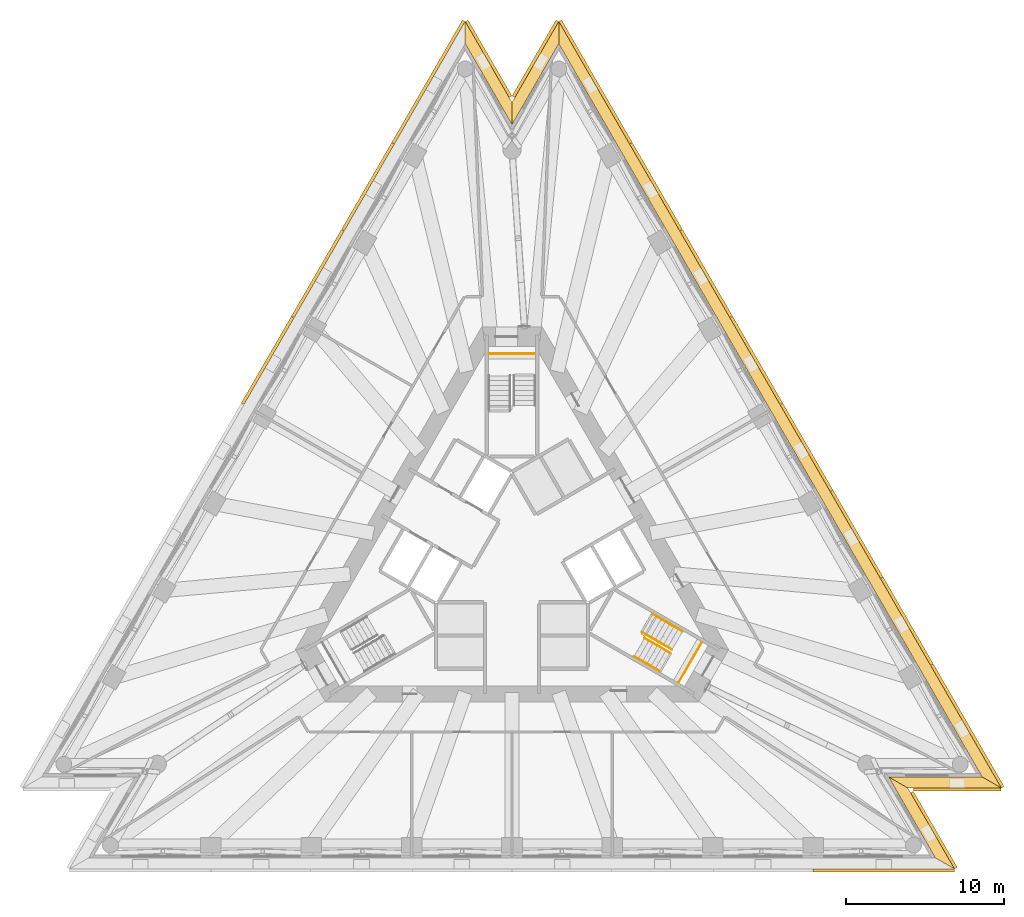
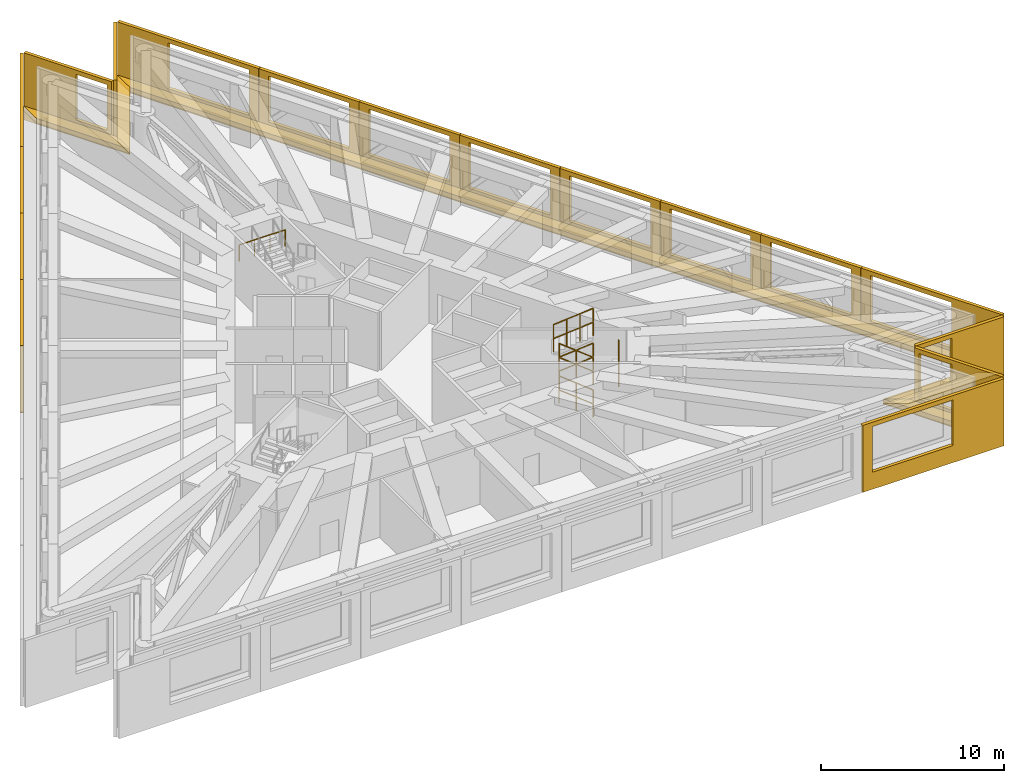
# One storey, part 12 of 12: 22 shading devices, 10 railings, 5 coverings, 2 elements without a shape of their own.
"""IFC4 building model written with IfcOpenShell, lengths in metres."""

from ifc_helpers import new_model, si_unit, direction, frame, origin, origin_2d, place, context, subcontext, project, spatial, polyline, circle, outline, extrude, material, layer, layer_set, layer_usage, type_object, element, aggregate, save


model = new_model("IFC4")

# Units and contexts
model_context = context("Model", 3, precision=1e-05, world=origin(), true_north=direction((0.0, 1.0)))
body_context = subcontext(model_context, "Body", "Model", "MODEL_VIEW")
ifc_project = project(units=[si_unit("LENGTHUNIT", "METRE"), si_unit("AREAUNIT", "SQUARE_METRE"), si_unit("VOLUMEUNIT", "CUBIC_METRE"), si_unit("PLANEANGLEUNIT", "RADIAN"), si_unit("MASSUNIT", "GRAM", prefix="KILO")], contexts=[model_context])

# Site, building, storey
site_placement = place(None, origin())
site = spatial("IfcSite", under=ifc_project, at=site_placement, CompositionType="ELEMENT")
building_placement = place(site_placement, origin())
building = spatial("IfcBuilding", under=site, at=building_placement, Name="Triada Interchange Tower", CompositionType="ELEMENT")
storey_placement = place(building_placement, frame((0.0, 0.0, 180.800048828125)))
storey = spatial("IfcBuildingStorey", under=building, at=storey_placement, Name="L42", CompositionType="ELEMENT", Elevation=180.800048828125)

# Coverings
ifc_material_1 = material(Name="Mineral fire-stop board")
ifc_layer_1 = layer(ifc_material_1, 0.0400390625, Name="Mineral fire-stop board")
ifc_material_2 = material(Name="Intumescent sealant")
ifc_layer_2 = layer(ifc_material_2, 0.010009765625, Name="Intumescent seal")
ifc_layer_set_1 = layer_set([ifc_layer_1, ifc_layer_2], Name="Cavity fire stop")
ifc_layer_usage = layer_usage(ifc_layer_set_1, "AXIS3", "POSITIVE", 0.0)
covering_type = type_object("IfcCoveringType", Name="Cavity fire stop", PredefinedType="INSULATION", material=ifc_layer_set_1)
covering_1_placement = place(storey_placement, origin())
element("IfcCovering", 1, at=covering_1_placement, inside=storey, type_object=covering_type, material=ifc_layer_usage, Name="Cavity fire stop L42 SE-1", PredefinedType="INSULATION", context=body_context, shape_type="SweptSolid", body=[
    extrude(outline(polyline([(26.742919921875, -18.85107421875), (27.955078125, -19.551025390625), (25.0009765625, -14.43408203125), (23.7890625, -13.73388671875), (26.742919921875, -18.85107421875)])), origin(), (0.0, 0.0, 1.0), 0.050048828125),
])
covering_2_placement = place(storey_placement, origin())
element("IfcCovering", 2, at=covering_2_placement, inside=storey, type_object=covering_type, material=ifc_layer_usage, Name="Cavity fire stop L42 SE-2", PredefinedType="INSULATION", context=body_context, shape_type="SweptSolid", body=[
    extrude(outline(polyline([(23.7890625, -13.73388671875), (25.0009765625, -14.43408203125), (30.908935546875, -14.43408203125), (29.697021484375, -13.73388671875), (23.7890625, -13.73388671875)])), origin(), (0.0, 0.0, 1.0), 0.050048828125),
])
covering_3_placement = place(storey_placement, origin())
element("IfcCovering", 3, at=covering_3_placement, inside=storey, type_object=covering_type, material=ifc_layer_usage, Name="Cavity fire stop L42 NE", PredefinedType="INSULATION", context=body_context, shape_type="SweptSolid", body=[
    extrude(outline(polyline([(29.697021484375, -13.73388671875), (30.908935546875, -14.43408203125), (2.9541015625, 33.985107421875), (2.9541015625, 32.5849609375), (29.697021484375, -13.73388671875)])), origin(), (0.0, 0.0, 1.0), 0.050048828125),
])
covering_4_placement = place(storey_placement, origin())
element("IfcCovering", 4, at=covering_4_placement, inside=storey, type_object=covering_type, material=ifc_layer_usage, Name="Cavity fire stop L42 N-1", PredefinedType="INSULATION", context=body_context, shape_type="SweptSolid", body=[
    extrude(outline(polyline([(2.9541015625, 32.5849609375), (2.9541015625, 33.985107421875), (0.0, 28.867919921875), (0.0, 27.468017578125), (2.9541015625, 32.5849609375)])), origin(), (0.0, 0.0, 1.0), 0.050048828125),
])
covering_5_placement = place(storey_placement, origin())
element("IfcCovering", 5, at=covering_5_placement, inside=storey, type_object=covering_type, material=ifc_layer_usage, Name="Cavity fire stop L42 N-2", PredefinedType="INSULATION", context=body_context, shape_type="SweptSolid", body=[
    extrude(outline(polyline([(0.0, 27.468017578125), (0.0, 28.867919921875), (-2.9541015625, 33.985107421875), (-2.9541015625, 32.5849609375), (0.0, 27.468017578125)])), origin(), (0.0, 0.0, 1.0), 0.050048828125),
])

# Shading devices
ifc_material_3 = material(Name="Aluminium louvre", Category="aluminium")
shading_device_type_1 = type_object("IfcShadingDeviceType", Name="Cavity louvre grille", PredefinedType="JALOUSIE", material=ifc_material_3)
shading_device_1_placement = place(storey_placement, frame((0.0, 0.0, 0.050048828125)))
element("IfcShadingDevice", 6, at=shading_device_1_placement, inside=storey, type_object=shading_device_type_1, Name="Cavity louvre grille L42 SE-1", PredefinedType="JALOUSIE", context=body_context, shape_type="SweptSolid", body=[
    extrude(outline(polyline([(26.742919921875, -18.85107421875), (27.955078125, -19.551025390625), (25.0009765625, -14.43408203125), (23.7890625, -13.73388671875), (26.742919921875, -18.85107421875)])), origin(), (0.0, 0.0, 1.0), 0.2998046875),
])
shading_device_2_placement = place(storey_placement, frame((0.0, 0.0, 0.050048828125)))
element("IfcShadingDevice", 7, at=shading_device_2_placement, inside=storey, type_object=shading_device_type_1, Name="Cavity louvre grille L42 SE-2", PredefinedType="JALOUSIE", context=body_context, shape_type="SweptSolid", body=[
    extrude(outline(polyline([(23.7890625, -13.73388671875), (25.0009765625, -14.43408203125), (30.908935546875, -14.43408203125), (29.697021484375, -13.73388671875), (23.7890625, -13.73388671875)])), origin(), (0.0, 0.0, 1.0), 0.2998046875),
])
shading_device_3_placement = place(storey_placement, frame((0.0, 0.0, 0.050048828125)))
element("IfcShadingDevice", 8, at=shading_device_3_placement, inside=storey, type_object=shading_device_type_1, Name="Cavity louvre grille L42 NE", PredefinedType="JALOUSIE", context=body_context, shape_type="SweptSolid", body=[
    extrude(outline(polyline([(29.697021484375, -13.73388671875), (30.908935546875, -14.43408203125), (2.9541015625, 33.985107421875), (2.9541015625, 32.5849609375), (29.697021484375, -13.73388671875)])), origin(), (0.0, 0.0, 1.0), 0.2998046875),
])
shading_device_4_placement = place(storey_placement, frame((0.0, 0.0, 0.050048828125)))
element("IfcShadingDevice", 9, at=shading_device_4_placement, inside=storey, type_object=shading_device_type_1, Name="Cavity louvre grille L42 N-1", PredefinedType="JALOUSIE", context=body_context, shape_type="SweptSolid", body=[
    extrude(outline(polyline([(2.9541015625, 32.5849609375), (2.9541015625, 33.985107421875), (0.0, 28.867919921875), (0.0, 27.468017578125), (2.9541015625, 32.5849609375)])), origin(), (0.0, 0.0, 1.0), 0.2998046875),
])
shading_device_5_placement = place(storey_placement, frame((0.0, 0.0, 0.050048828125)))
element("IfcShadingDevice", 10, at=shading_device_5_placement, inside=storey, type_object=shading_device_type_1, Name="Cavity louvre grille L42 N-2", PredefinedType="JALOUSIE", context=body_context, shape_type="SweptSolid", body=[
    extrude(outline(polyline([(0.0, 27.468017578125), (0.0, 28.867919921875), (-2.9541015625, 33.985107421875), (-2.9541015625, 32.5849609375), (0.0, 27.468017578125)])), origin(), (0.0, 0.0, 1.0), 0.2998046875),
])
ifc_material_4 = material(Name="Concrete C50/60 precast", Category="concrete")
ifc_layer_3 = layer(ifc_material_4, 0.02001953125, Name="Exposed aggregate face")
ifc_layer_4 = layer(ifc_material_4, 0.179931640625, Name="Precast concrete screen")
ifc_layer_set_2 = layer_set([ifc_layer_3, ifc_layer_4], Name="Outer skin screen panel 4480")
shading_device_type_2 = type_object("IfcShadingDeviceType", Name="Outer skin screen panel 4480", PredefinedType="SHUTTER", material=ifc_layer_set_2)
shading_device_6_placement = place(storey_placement, frame((-2.958984375, 33.97607421875, -0.590087890625), z_axis=(0.0, 0.0, 1.0), x_axis=(-0.500049506908, -0.865996819071, 0.0)))
element("IfcShadingDevice", 11, at=shading_device_6_placement, inside=storey, type_object=shading_device_type_2, Name="Outer skin screen panel L42 01", PredefinedType="SHUTTER", context=body_context, shape_type="SweptSolid", body=[
    extrude(outline(polyline([(0.0, 0.0), (8.9169921875, 0.0), (8.9169921875, 4.47998046875), (0.0, 4.47998046875), (0.0, 0.0)]), holes=[polyline([(3.20751953125, 1.139892578125), (3.20751953125, 4.18994140625), (8.3076171875, 4.18994140625), (8.3076171875, 1.139892578125), (3.20751953125, 1.139892578125)])]), frame((0.0, 0.0, 0.0), z_axis=(0.0, -1.0, 0.0), x_axis=(1.0, 0.0, 0.0)), (0.0, 0.0, 1.0), 0.199951171875),
])
shading_device_7_placement = place(storey_placement, frame((-7.427978515625, 26.236083984375, -0.590087890625), z_axis=(0.0, 0.0, 1.0), x_axis=(-0.499949895976, -0.866054329424, 0.0)))
element("IfcShadingDevice", 12, at=shading_device_7_placement, inside=storey, type_object=shading_device_type_2, Name="Outer skin screen panel L42 02", PredefinedType="SHUTTER", context=body_context, shape_type="SweptSolid", body=[
    extrude(outline(polyline([(0.0, 0.0), (6.318603515625, 0.0), (6.318603515625, 4.47998046875), (0.0, 4.47998046875), (0.0, 0.0)]), holes=[polyline([(0.609375, 1.139892578125), (0.609375, 4.18994140625), (5.709228515625, 4.18994140625), (5.709228515625, 1.139892578125), (0.609375, 1.139892578125)])]), frame((0.0, 0.0, 0.0), z_axis=(0.0, -1.0, 0.0), x_axis=(1.0, 0.0, 0.0)), (0.0, 0.0, 1.0), 0.199951171875),
])
shading_device_8_placement = place(storey_placement, frame((-10.596923828125, 20.7470703125, -0.590087890625), z_axis=(0.0, 0.0, 1.0), x_axis=(-0.500027861653, -0.866009317254, 0.0)))
element("IfcShadingDevice", 13, at=shading_device_8_placement, inside=storey, type_object=shading_device_type_2, Name="Outer skin screen panel L42 03", PredefinedType="SHUTTER", context=body_context, shape_type="SweptSolid", body=[
    extrude(outline(polyline([(0.0, 0.0), (6.320068359375, 0.0), (6.320068359375, 4.47998046875), (0.0, 4.47998046875), (0.0, 0.0)]), holes=[polyline([(0.609130859375, 1.139892578125), (0.609130859375, 4.18994140625), (5.709228515625, 4.18994140625), (5.709228515625, 1.139892578125), (0.609130859375, 1.139892578125)])]), frame((0.0, 0.0, 0.0), z_axis=(0.0, -1.0, 0.0), x_axis=(1.0, 0.0, 0.0)), (0.0, 0.0, 1.0), 0.199951171875),
])
shading_device_9_placement = place(storey_placement, frame((-13.76708984375, 15.257080078125, -0.590087890625), z_axis=(0.0, 0.0, 1.0), x_axis=(-0.499998889324, -0.866026045033, 0.0)))
element("IfcShadingDevice", 14, at=shading_device_9_placement, inside=storey, type_object=shading_device_type_2, Name="Outer skin screen panel L42 04", PredefinedType="SHUTTER", context=body_context, shape_type="SweptSolid", body=[
    extrude(outline(polyline([(0.0, 0.0), (6.31982421875, 0.0), (6.31982421875, 4.47998046875), (0.0, 4.47998046875), (0.0, 0.0)]), holes=[polyline([(0.610107421875, 1.139892578125), (0.610107421875, 4.18994140625), (5.7099609375, 4.18994140625), (5.7099609375, 1.139892578125), (0.610107421875, 1.139892578125)])]), frame((0.0, 0.0, 0.0), z_axis=(0.0, -1.0, 0.0), x_axis=(1.0, 0.0, 0.0)), (0.0, 0.0, 1.0), 0.199951171875),
])
shading_device_10_placement = place(storey_placement, frame((19.028076171875, -19.551025390625, -0.590087890625), z_axis=(0.0, 0.0, 1.0), x_axis=(1.0, 0.0, 0.0)))
element("IfcShadingDevice", 15, at=shading_device_10_placement, inside=storey, type_object=shading_device_type_2, Name="Outer skin screen panel L42 18", PredefinedType="SHUTTER", context=body_context, shape_type="SweptSolid", body=[
    extrude(outline(polyline([(0.0, 0.0), (8.9169921875, 0.0), (8.9169921875, 4.47998046875), (0.0, 4.47998046875), (0.0, 0.0)]), holes=[polyline([(0.609130859375, 1.139892578125), (0.609130859375, 4.18994140625), (5.709228515625, 4.18994140625), (5.709228515625, 1.139892578125), (0.609130859375, 1.139892578125)])]), frame((0.0, 0.0, 0.0), z_axis=(0.0, -1.0, 0.0), x_axis=(1.0, 0.0, 0.0)), (0.0, 0.0, 1.0), 0.199951171875),
])
shading_device_11_placement = place(storey_placement, frame((27.949951171875, -19.5419921875, -0.590087890625), z_axis=(0.0, 0.0, 1.0), x_axis=(-0.500033892615, 0.86600583499, 0.0)))
element("IfcShadingDevice", 16, at=shading_device_11_placement, inside=storey, type_object=shading_device_type_2, Name="Outer skin screen panel L42 19", PredefinedType="SHUTTER", context=body_context, shape_type="SweptSolid", body=[
    extrude(outline(polyline([(0.0, 0.0), (5.54150390625, 0.0), (5.54150390625, 4.47998046875), (0.0, 4.47998046875), (0.0, 0.0)]), holes=[polyline([(3.17529296875, 1.139892578125), (3.17529296875, 4.18994140625), (5.24169921875, 4.18994140625), (5.24169921875, 1.139892578125), (3.17529296875, 1.139892578125)])]), frame((0.0, 0.0, 0.0), z_axis=(0.0, -1.0, 0.0), x_axis=(1.0, 0.0, 0.0)), (0.0, 0.0, 1.0), 0.199951171875),
])
shading_device_12_placement = place(storey_placement, frame((25.35791015625, -14.43408203125, -0.590087890625), z_axis=(0.0, 0.0, 1.0), x_axis=(1.0, 0.0, 0.0)))
element("IfcShadingDevice", 17, at=shading_device_12_placement, inside=storey, type_object=shading_device_type_2, Name="Outer skin screen panel L42 20", PredefinedType="SHUTTER", context=body_context, shape_type="SweptSolid", body=[
    extrude(outline(polyline([(0.0, 0.0), (5.541015625, 0.0), (5.541015625, 4.47998046875), (0.0, 4.47998046875), (0.0, 0.0)]), holes=[polyline([(0.300048828125, 1.139892578125), (0.300048828125, 4.18994140625), (2.258056640625, 4.18994140625), (2.258056640625, 1.139892578125), (0.300048828125, 1.139892578125)])]), frame((0.0, 0.0, 0.0), z_axis=(0.0, -1.0, 0.0), x_axis=(1.0, 0.0, 0.0)), (0.0, 0.0, 1.0), 0.199951171875),
])
shading_device_13_placement = place(storey_placement, frame((30.904052734375, -14.425048828125, -0.590087890625), z_axis=(0.0, 0.0, 1.0), x_axis=(-0.499967368674, 0.86604424267, 0.0)))
element("IfcShadingDevice", 18, at=shading_device_13_placement, inside=storey, type_object=shading_device_type_2, Name="Outer skin screen panel L42 21", PredefinedType="SHUTTER", context=body_context, shape_type="SweptSolid", body=[
    extrude(outline(polyline([(0.0, 0.0), (8.91650390625, 0.0), (8.91650390625, 4.47998046875), (0.0, 4.47998046875), (0.0, 0.0)]), holes=[polyline([(3.207275390625, 1.139892578125), (3.207275390625, 4.18994140625), (8.307373046875, 4.18994140625), (8.307373046875, 1.139892578125), (3.207275390625, 1.139892578125)])]), frame((0.0, 0.0, 0.0), z_axis=(0.0, -1.0, 0.0), x_axis=(1.0, 0.0, 0.0)), (0.0, 0.0, 1.0), 0.199951171875),
])
shading_device_14_placement = place(storey_placement, frame((26.43505859375, -6.68505859375, -0.590087890625), z_axis=(0.0, 0.0, 1.0), x_axis=(-0.499978876315, 0.866037599206, 0.0)))
element("IfcShadingDevice", 19, at=shading_device_14_placement, inside=storey, type_object=shading_device_type_2, Name="Outer skin screen panel L42 22", PredefinedType="SHUTTER", context=body_context, shape_type="SweptSolid", body=[
    extrude(outline(polyline([(0.0, 0.0), (6.318603515625, 0.0), (6.318603515625, 4.47998046875), (0.0, 4.47998046875), (0.0, 0.0)]), holes=[polyline([(0.60888671875, 1.139892578125), (0.60888671875, 4.18994140625), (5.708984375, 4.18994140625), (5.708984375, 1.139892578125), (0.60888671875, 1.139892578125)])]), frame((0.0, 0.0, 0.0), z_axis=(0.0, -1.0, 0.0), x_axis=(1.0, 0.0, 0.0)), (0.0, 0.0, 1.0), 0.199951171875),
])
shading_device_15_placement = place(storey_placement, frame((23.26611328125, -1.196044921875, -0.590087890625), z_axis=(0.0, 0.0, 1.0), x_axis=(-0.500027861653, 0.866009317254, 0.0)))
element("IfcShadingDevice", 20, at=shading_device_15_placement, inside=storey, type_object=shading_device_type_2, Name="Outer skin screen panel L42 23", PredefinedType="SHUTTER", context=body_context, shape_type="SweptSolid", body=[
    extrude(outline(polyline([(0.0, 0.0), (6.320068359375, 0.0), (6.320068359375, 4.47998046875), (0.0, 4.47998046875), (0.0, 0.0)]), holes=[polyline([(0.60986328125, 1.139892578125), (0.60986328125, 4.18994140625), (5.7099609375, 4.18994140625), (5.7099609375, 1.139892578125), (0.60986328125, 1.139892578125)])]), frame((0.0, 0.0, 0.0), z_axis=(0.0, -1.0, 0.0), x_axis=(1.0, 0.0, 0.0)), (0.0, 0.0, 1.0), 0.199951171875),
])
shading_device_16_placement = place(storey_placement, frame((20.095947265625, 4.2939453125, -0.590087890625), z_axis=(0.0, 0.0, 1.0), x_axis=(-0.499882983218, 0.866092952915, 0.0)))
element("IfcShadingDevice", 21, at=shading_device_16_placement, inside=storey, type_object=shading_device_type_2, Name="Outer skin screen panel L42 24", PredefinedType="SHUTTER", context=body_context, shape_type="SweptSolid", body=[
    extrude(outline(polyline([(0.0, 0.0), (6.3193359375, 0.0), (6.3193359375, 4.47998046875), (0.0, 4.47998046875), (0.0, 0.0)]), holes=[polyline([(0.609619140625, 1.139892578125), (0.609619140625, 4.18994140625), (5.709716796875, 4.18994140625), (5.709716796875, 1.139892578125), (0.609619140625, 1.139892578125)])]), frame((0.0, 0.0, 0.0), z_axis=(0.0, -1.0, 0.0), x_axis=(1.0, 0.0, 0.0)), (0.0, 0.0, 1.0), 0.199951171875),
])
shading_device_17_placement = place(storey_placement, frame((16.927001953125, 9.783935546875, -0.590087890625), z_axis=(0.0, 0.0, 1.0), x_axis=(-0.499998889324, 0.866026045033, 0.0)))
element("IfcShadingDevice", 22, at=shading_device_17_placement, inside=storey, type_object=shading_device_type_2, Name="Outer skin screen panel L42 25", PredefinedType="SHUTTER", context=body_context, shape_type="SweptSolid", body=[
    extrude(outline(polyline([(0.0, 0.0), (6.31982421875, 0.0), (6.31982421875, 4.47998046875), (0.0, 4.47998046875), (0.0, 0.0)]), holes=[polyline([(0.609619140625, 1.139892578125), (0.609619140625, 4.18994140625), (5.70947265625, 4.18994140625), (5.70947265625, 1.139892578125), (0.609619140625, 1.139892578125)])]), frame((0.0, 0.0, 0.0), z_axis=(0.0, -1.0, 0.0), x_axis=(1.0, 0.0, 0.0)), (0.0, 0.0, 1.0), 0.199951171875),
])
shading_device_18_placement = place(storey_placement, frame((13.757080078125, 15.27392578125, -0.590087890625), z_axis=(0.0, 0.0, 1.0), x_axis=(-0.500027861653, 0.866009317254, 0.0)))
element("IfcShadingDevice", 23, at=shading_device_18_placement, inside=storey, type_object=shading_device_type_2, Name="Outer skin screen panel L42 26", PredefinedType="SHUTTER", context=body_context, shape_type="SweptSolid", body=[
    extrude(outline(polyline([(0.0, 0.0), (6.320068359375, 0.0), (6.320068359375, 4.47998046875), (0.0, 4.47998046875), (0.0, 0.0)]), holes=[polyline([(0.609375, 1.139892578125), (0.609375, 4.18994140625), (5.709228515625, 4.18994140625), (5.709228515625, 1.139892578125), (0.609375, 1.139892578125)])]), frame((0.0, 0.0, 0.0), z_axis=(0.0, -1.0, 0.0), x_axis=(1.0, 0.0, 0.0)), (0.0, 0.0, 1.0), 0.199951171875),
])
shading_device_19_placement = place(storey_placement, frame((10.5869140625, 20.763916015625, -0.590087890625), z_axis=(0.0, 0.0, 1.0), x_axis=(-0.499949895976, 0.866054329424, 0.0)))
element("IfcShadingDevice", 24, at=shading_device_19_placement, inside=storey, type_object=shading_device_type_2, Name="Outer skin screen panel L42 27", PredefinedType="SHUTTER", context=body_context, shape_type="SweptSolid", body=[
    extrude(outline(polyline([(0.0, 0.0), (6.318603515625, 0.0), (6.318603515625, 4.47998046875), (0.0, 4.47998046875), (0.0, 0.0)]), holes=[polyline([(0.609130859375, 1.139892578125), (0.609130859375, 4.18994140625), (5.708984375, 4.18994140625), (5.708984375, 1.139892578125), (0.609130859375, 1.139892578125)])]), frame((0.0, 0.0, 0.0), z_axis=(0.0, -1.0, 0.0), x_axis=(1.0, 0.0, 0.0)), (0.0, 0.0, 1.0), 0.199951171875),
])
shading_device_20_placement = place(storey_placement, frame((7.41796875, 26.25390625, -0.590087890625), z_axis=(0.0, 0.0, 1.0), x_axis=(-0.500049506908, 0.865996819071, 0.0)))
element("IfcShadingDevice", 25, at=shading_device_20_placement, inside=storey, type_object=shading_device_type_2, Name="Outer skin screen panel L42 28", PredefinedType="SHUTTER", context=body_context, shape_type="SweptSolid", body=[
    extrude(outline(polyline([(0.0, 0.0), (8.9169921875, 0.0), (8.9169921875, 4.47998046875), (0.0, 4.47998046875), (0.0, 0.0)]), holes=[polyline([(0.60986328125, 1.139892578125), (0.60986328125, 4.18994140625), (5.7099609375, 4.18994140625), (5.7099609375, 1.139892578125), (0.60986328125, 1.139892578125)])]), frame((0.0, 0.0, 0.0), z_axis=(0.0, -1.0, 0.0), x_axis=(1.0, 0.0, 0.0)), (0.0, 0.0, 1.0), 0.199951171875),
])
shading_device_21_placement = place(storey_placement, frame((2.948974609375, 33.97607421875, -0.590087890625), z_axis=(0.0, 0.0, 1.0), x_axis=(-0.500033892615, -0.86600583499, 0.0)))
element("IfcShadingDevice", 26, at=shading_device_21_placement, inside=storey, type_object=shading_device_type_2, Name="Outer skin screen panel L42 29", PredefinedType="SHUTTER", context=body_context, shape_type="SweptSolid", body=[
    extrude(outline(polyline([(0.0, 0.0), (5.54150390625, 0.0), (5.54150390625, 4.47998046875), (0.0, 4.47998046875), (0.0, 0.0)]), holes=[polyline([(3.175537109375, 1.139892578125), (3.175537109375, 4.18994140625), (5.241943359375, 4.18994140625), (5.241943359375, 1.139892578125), (3.175537109375, 1.139892578125)])]), frame((0.0, 0.0, 0.0), z_axis=(0.0, -1.0, 0.0), x_axis=(1.0, 0.0, 0.0)), (0.0, 0.0, 1.0), 0.199951171875),
])
shading_device_22_placement = place(storey_placement, frame((-0.177978515625, 29.177001953125, -0.590087890625), z_axis=(0.0, 0.0, 1.0), x_axis=(-0.500033892615, 0.86600583499, 0.0)))
element("IfcShadingDevice", 27, at=shading_device_22_placement, inside=storey, type_object=shading_device_type_2, Name="Outer skin screen panel L42 30", PredefinedType="SHUTTER", context=body_context, shape_type="SweptSolid", body=[
    extrude(outline(polyline([(0.0, 0.0), (5.54150390625, 0.0), (5.54150390625, 4.47998046875), (0.0, 4.47998046875), (0.0, 0.0)]), holes=[polyline([(0.300048828125, 1.139892578125), (0.300048828125, 4.18994140625), (2.2578125, 4.18994140625), (2.2578125, 1.139892578125), (0.300048828125, 1.139892578125)])]), frame((0.0, 0.0, 0.0), z_axis=(0.0, -1.0, 0.0), x_axis=(1.0, 0.0, 0.0)), (0.0, 0.0, 1.0), 0.199951171875),
])

# Stair, railing
ifc_material_5 = material(Name="Concrete C35/45", Category="concrete")
stair_type = type_object("IfcStairType", Name="HALF TURN STAIR 1400", PredefinedType="HALF_TURN_STAIR", material=ifc_material_5)
stair_1_placement = place(storey_placement, origin())
stair_1 = element("IfcStair", 28, at=stair_1_placement, inside=storey, type_object=stair_type, Name="Exit stair S42-1", PredefinedType="HALF_TURN_STAIR")
ifc_material_6 = material(Name="Stainless steel 1.4301", Category="steel")
railing_type_1 = type_object("IfcRailingType", Name="STAIR GUARD 1100", PredefinedType="GUARDRAIL", material=ifc_material_6)
railing_1_placement = place(storey_placement, frame((1.449951171875, 13.0, 2.17236328125)))
railing_1 = element("IfcRailing", 29, at=railing_1_placement, type_object=railing_type_1, Name="Guard S42-1 1", PredefinedType="GUARDRAIL", context=body_context, shape_type="SweptSolid", body=[
    extrude(circle(Radius=0.02392578125, at=origin_2d()), frame((0.0, 0.0, 1.076171875), z_axis=(-1.0, 0.0, 0.0), x_axis=(0.0, -1.0, 0.0)), (0.0, 0.0, 1.0), 2.89990234375),
    extrude(circle(Radius=0.02099609375, at=origin_2d()), origin(), (0.0, 0.0, 1.0), 1.052001953125),
    extrude(circle(Radius=0.02099609375, at=origin_2d()), frame((-0.966552734375, 0.0, 0.0)), (0.0, 0.0, 1.0), 1.052001953125),
    extrude(circle(Radius=0.02099609375, at=origin_2d()), frame((-1.933349609375, 0.0, 0.0)), (0.0, 0.0, 1.0), 1.052001953125),
    extrude(circle(Radius=0.02099609375, at=origin_2d()), frame((-2.89990234375, 0.0, 0.0)), (0.0, 0.0, 1.0), 1.052001953125),
])
aggregate(stair_1, [railing_1])

# Stair, railings
stair_2_placement = place(storey_placement, origin())
stair_2 = element("IfcStair", 30, at=stair_2_placement, inside=storey, type_object=stair_type, Name="Exit stair S42-3", PredefinedType="HALF_TURN_STAIR")
railing_2_placement = place(storey_placement, frame((10.532958984375, -7.756103515625, 2.17236328125)))
railing_2 = element("IfcRailing", 31, at=railing_2_placement, type_object=railing_type_1, Name="Guard S42-3 1", PredefinedType="GUARDRAIL", context=body_context, shape_type="SweptSolid", body=[
    extrude(circle(Radius=0.02392578125, at=origin_2d()), frame((0.0, 0.0, 1.076171875), z_axis=(0.499877891294, 0.866095891802, 0.0), x_axis=(-0.866095891802, 0.499877891294, 0.0)), (0.0, 0.0, 1.0), 2.900634765625),
    extrude(circle(Radius=0.02099609375, at=origin_2d()), origin(), (0.0, 0.0, 1.0), 1.052001953125),
    extrude(circle(Radius=0.02099609375, at=origin_2d()), frame((0.4833984375, 0.83740234375, 0.0)), (0.0, 0.0, 1.0), 1.052001953125),
    extrude(circle(Radius=0.02099609375, at=origin_2d()), frame((0.966552734375, 1.6748046875, 0.0)), (0.0, 0.0, 1.0), 1.052001953125),
    extrude(circle(Radius=0.02099609375, at=origin_2d()), frame((1.449951171875, 2.51220703125, 0.0)), (0.0, 0.0, 1.0), 1.052001953125),
])
railing_type_2 = type_object("IfcRailingType", Name="STAIR HANDRAIL 900", PredefinedType="HANDRAIL", material=ifc_material_6)
railing_3_placement = place(storey_placement, frame((9.321044921875, -7.055908203125, 0.155029296875)))
railing_3 = element("IfcRailing", 32, at=railing_3_placement, type_object=railing_type_2, Name="Handrail S42-3 1W", PredefinedType="HANDRAIL", context=body_context, shape_type="SweptSolid", body=[
    extrude(circle(Radius=0.02392578125, at=origin_2d()), frame((0.0, 0.0, 0.8759765625), z_axis=(-0.774469289278, 0.447030386856, 0.447617194925), x_axis=(-0.499908018857, -0.866078502609, 0.0)), (0.0, 0.0, 1.0), 2.080322265625),
    extrude(circle(Radius=0.02099609375, at=origin_2d()), origin(), (0.0, 0.0, 1.0), 0.851806640625),
    extrude(circle(Radius=0.02099609375, at=origin_2d()), frame((-0.8056640625, 0.46484375, 0.465576171875)), (0.0, 0.0, 1.0), 0.851806640625),
    extrude(circle(Radius=0.02099609375, at=origin_2d()), frame((-1.611083984375, 0.929931640625, 0.93115234375)), (0.0, 0.0, 1.0), 0.851806640625),
])
railing_4_placement = place(storey_placement, frame((9.986083984375, -5.904052734375, 0.155029296875)))
railing_4 = element("IfcRailing", 33, at=railing_4_placement, type_object=railing_type_2, Name="Handrail S42-3 1C", PredefinedType="HANDRAIL", context=body_context, shape_type="SweptSolid", body=[
    extrude(circle(Radius=0.02392578125, at=origin_2d()), frame((0.0, 0.0, 0.8759765625), z_axis=(-0.774469289278, 0.447030386856, 0.447617194925), x_axis=(-0.499908018857, -0.866078502609, 0.0)), (0.0, 0.0, 1.0), 2.080322265625),
    extrude(circle(Radius=0.02099609375, at=origin_2d()), origin(), (0.0, 0.0, 1.0), 0.851806640625),
    extrude(circle(Radius=0.02099609375, at=origin_2d()), frame((-0.8056640625, 0.46484375, 0.465576171875)), (0.0, 0.0, 1.0), 0.851806640625),
    extrude(circle(Radius=0.02099609375, at=origin_2d()), frame((-1.611083984375, 0.929931640625, 0.93115234375)), (0.0, 0.0, 1.0), 0.851806640625),
])
railing_5_placement = place(storey_placement, frame((9.159912109375, -3.614013671875, 1.241455078125)))
railing_5 = element("IfcRailing", 34, at=railing_5_placement, type_object=railing_type_2, Name="Handrail S42-3 2W", PredefinedType="HANDRAIL", context=body_context, shape_type="SweptSolid", body=[
    extrude(circle(Radius=0.02392578125, at=origin_2d()), frame((0.0, 0.0, 0.8759765625), z_axis=(0.774509972404, -0.447053869509, 0.447523340624), x_axis=(0.499908018857, 0.866078502609, 0.0)), (0.0, 0.0, 1.0), 2.080078125),
    extrude(circle(Radius=0.02099609375, at=origin_2d()), origin(), (0.0, 0.0, 1.0), 0.851806640625),
    extrude(circle(Radius=0.02099609375, at=origin_2d()), frame((0.8056640625, -0.46484375, 0.46533203125)), (0.0, 0.0, 1.0), 0.851806640625),
    extrude(circle(Radius=0.02099609375, at=origin_2d()), frame((1.611083984375, -0.929931640625, 0.930908203125)), (0.0, 0.0, 1.0), 0.851806640625),
])
railing_6_placement = place(storey_placement, frame((8.4951171875, -4.76611328125, 1.241455078125)))
railing_6 = element("IfcRailing", 35, at=railing_6_placement, type_object=railing_type_2, Name="Handrail S42-3 2C", PredefinedType="HANDRAIL", context=body_context, shape_type="SweptSolid", body=[
    extrude(circle(Radius=0.02392578125, at=origin_2d()), frame((0.0, 0.0, 0.8759765625), z_axis=(0.774463003126, -0.447094510292, 0.447564024086), x_axis=(0.499964847546, 0.866045698112, 0.0)), (0.0, 0.0, 1.0), 2.079833984375),
    extrude(circle(Radius=0.02099609375, at=origin_2d()), origin(), (0.0, 0.0, 1.0), 0.851806640625),
    extrude(circle(Radius=0.02099609375, at=origin_2d()), frame((0.805419921875, -0.46484375, 0.46533203125)), (0.0, 0.0, 1.0), 0.851806640625),
    extrude(circle(Radius=0.02099609375, at=origin_2d()), frame((1.61083984375, -0.929931640625, 0.930908203125)), (0.0, 0.0, 1.0), 0.851806640625),
])
railing_7_placement = place(storey_placement, frame((9.321044921875, -7.055908203125, 2.32763671875)))
railing_7 = element("IfcRailing", 36, at=railing_7_placement, type_object=railing_type_2, Name="Handrail S42-3 3W", PredefinedType="HANDRAIL", context=body_context, shape_type="SweptSolid", body=[
    extrude(circle(Radius=0.02392578125, at=origin_2d()), frame((0.0, 0.0, 0.8759765625), z_axis=(-0.774509972404, 0.447053869509, 0.447523340624), x_axis=(-0.499908018857, -0.866078502609, 0.0)), (0.0, 0.0, 1.0), 2.080078125),
    extrude(circle(Radius=0.02099609375, at=origin_2d()), origin(), (0.0, 0.0, 1.0), 0.851806640625),
    extrude(circle(Radius=0.02099609375, at=origin_2d()), frame((-0.8056640625, 0.46484375, 0.46533203125)), (0.0, 0.0, 1.0), 0.851806640625),
    extrude(circle(Radius=0.02099609375, at=origin_2d()), frame((-1.611083984375, 0.929931640625, 0.930908203125)), (0.0, 0.0, 1.0), 0.851806640625),
])
railing_8_placement = place(storey_placement, frame((9.986083984375, -5.904052734375, 2.32763671875)))
railing_8 = element("IfcRailing", 37, at=railing_8_placement, type_object=railing_type_2, Name="Handrail S42-3 3C", PredefinedType="HANDRAIL", context=body_context, shape_type="SweptSolid", body=[
    extrude(circle(Radius=0.02392578125, at=origin_2d()), frame((0.0, 0.0, 0.8759765625), z_axis=(-0.774509972404, 0.447053869509, 0.447523340624), x_axis=(-0.499908018857, -0.866078502609, 0.0)), (0.0, 0.0, 1.0), 2.080078125),
    extrude(circle(Radius=0.02099609375, at=origin_2d()), origin(), (0.0, 0.0, 1.0), 0.851806640625),
    extrude(circle(Radius=0.02099609375, at=origin_2d()), frame((-0.8056640625, 0.46484375, 0.46533203125)), (0.0, 0.0, 1.0), 0.851806640625),
    extrude(circle(Radius=0.02099609375, at=origin_2d()), frame((-1.611083984375, 0.929931640625, 0.930908203125)), (0.0, 0.0, 1.0), 0.851806640625),
])
railing_9_placement = place(storey_placement, frame((8.89208984375, -3.458984375, 3.413818359375)))
railing_9 = element("IfcRailing", 38, at=railing_9_placement, type_object=railing_type_2, Name="Handrail S42-3 4W", PredefinedType="HANDRAIL", context=body_context, shape_type="SweptSolid", body=[
    extrude(circle(Radius=0.02392578125, at=origin_2d()), frame((0.0, 0.0, 0.8759765625), z_axis=(0.774372634864, -0.44715592377, 0.447659024494), x_axis=(0.500060114735, 0.865990693744, 0.0)), (0.0, 0.0, 1.0), 2.42626953125),
    extrude(circle(Radius=0.02099609375, at=origin_2d()), origin(), (0.0, 0.0, 1.0), 0.851806640625),
    extrude(circle(Radius=0.02099609375, at=origin_2d()), frame((0.626220703125, -0.361572265625, 0.362060546875)), (0.0, 0.0, 1.0), 0.851806640625),
    extrude(circle(Radius=0.02099609375, at=origin_2d()), frame((1.252685546875, -0.723388671875, 0.72412109375)), (0.0, 0.0, 1.0), 0.851806640625),
    extrude(circle(Radius=0.02099609375, at=origin_2d()), frame((1.87890625, -1.0849609375, 1.086181640625)), (0.0, 0.0, 1.0), 0.851806640625),
])
railing_10_placement = place(storey_placement, frame((8.22705078125, -4.611083984375, 3.413818359375)))
railing_10 = element("IfcRailing", 39, at=railing_10_placement, type_object=railing_type_2, Name="Handrail S42-3 4C", PredefinedType="HANDRAIL", context=body_context, shape_type="SweptSolid", body=[
    extrude(circle(Radius=0.02392578125, at=origin_2d()), frame((0.0, 0.0, 0.8759765625), z_axis=(0.774372634864, -0.44715592377, 0.447659024494), x_axis=(0.500060114735, 0.865990693744, 0.0)), (0.0, 0.0, 1.0), 2.42626953125),
    extrude(circle(Radius=0.02099609375, at=origin_2d()), origin(), (0.0, 0.0, 1.0), 0.851806640625),
    extrude(circle(Radius=0.02099609375, at=origin_2d()), frame((0.626220703125, -0.361572265625, 0.362060546875)), (0.0, 0.0, 1.0), 0.851806640625),
    extrude(circle(Radius=0.02099609375, at=origin_2d()), frame((1.252685546875, -0.723388671875, 0.72412109375)), (0.0, 0.0, 1.0), 0.851806640625),
    extrude(circle(Radius=0.02099609375, at=origin_2d()), frame((1.87890625, -1.0849609375, 1.086181640625)), (0.0, 0.0, 1.0), 0.851806640625),
])
aggregate(stair_2, [railing_3, railing_4, railing_5, railing_6, railing_7, railing_8, railing_9, railing_10, railing_2])

save(model, "model.ifc")
